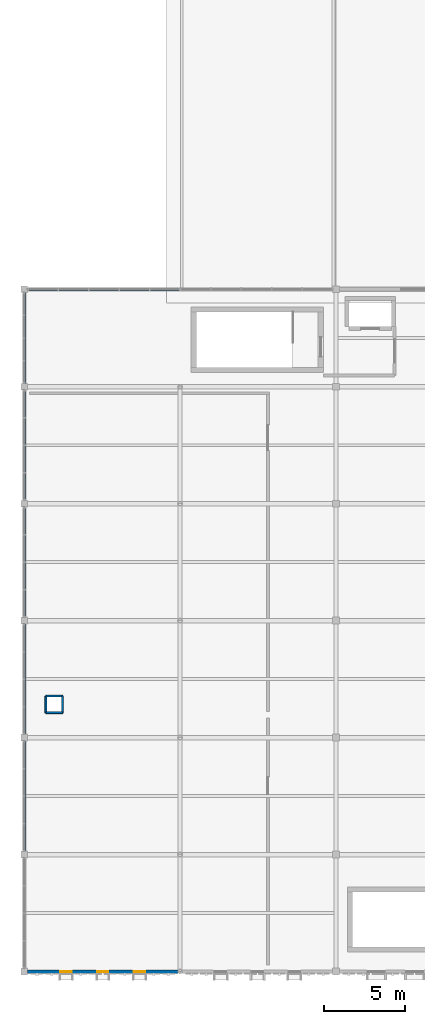
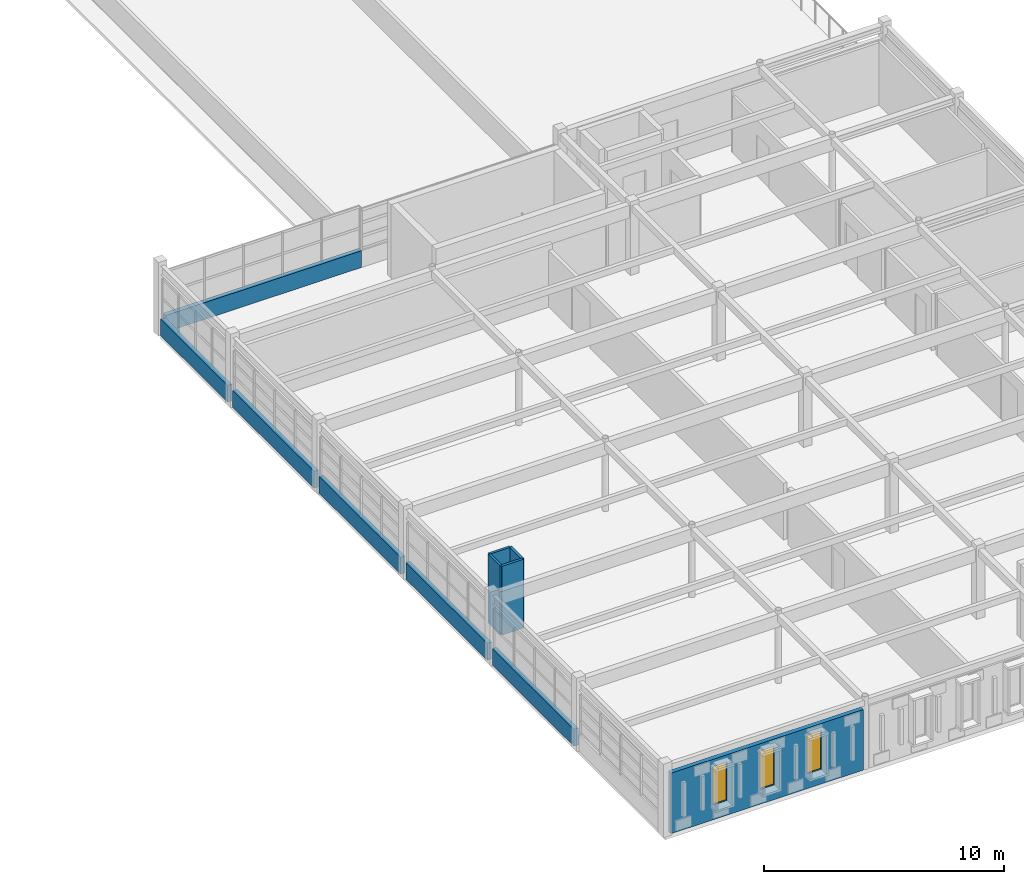
# One storey, part 14 of 25: 11 walls, 3 windows, 3 openings.
"""IFC4 building model written with IfcOpenShell, lengths in metres."""

from ifc_helpers import new_model, si_unit, direction, frame, frame_2d, origin, place, context, subcontext, project, spatial, rectangle, extrude, material, layer, layer_set, type_object, element, fill, save


model = new_model("IFC4")

# Units and contexts
model_context = context("Model", 3, precision=1e-05, world=origin(), true_north=direction((0.0, 1.0)))
body_context = subcontext(model_context, "Body", "Model", "MODEL_VIEW")
ifc_project = project(units=[si_unit("LENGTHUNIT", "METRE"), si_unit("AREAUNIT", "SQUARE_METRE"), si_unit("VOLUMEUNIT", "CUBIC_METRE"), si_unit("PLANEANGLEUNIT", "RADIAN"), si_unit("MASSUNIT", "GRAM", prefix="KILO")], contexts=[model_context])

# Site, building, storey
site_placement = place(None, origin())
site = spatial("IfcSite", under=ifc_project, at=site_placement, CompositionType="ELEMENT")
building_placement = place(site_placement, origin())
building = spatial("IfcBuilding", under=site, at=building_placement, Name="Nzembalo Square Collegiate School", CompositionType="ELEMENT")
storey_placement = place(building_placement, frame((0.0, 0.0, 21.080078125)))
storey = spatial("IfcBuildingStorey", under=building, at=storey_placement, Name="L05", CompositionType="ELEMENT", Elevation=21.080078125)

# Walls
ifc_material_1 = material(Name="CLT CL24", Category="wood")
ifc_layer_1 = layer(ifc_material_1, 0.215087890625, Name="CLT CL24")
ifc_layer_set_1 = layer_set([ifc_layer_1], Name="CLT CL24")
wall_type_1 = type_object("IfcWallType", Name="W08", PredefinedType="SOLIDWALL", material=ifc_layer_set_1)
wall_1_placement = place(storey_placement, frame((130.800048828125, 15.81201171875, 0.0), z_axis=(0.0, 0.0, 1.0), x_axis=(0.0, 1.0, 0.0)))
element("IfcWall", 1, at=wall_1_placement, inside=storey, type_object=wall_type_1, Name="Spandrel wall W08 L05", PredefinedType="SOLIDWALL", context=body_context, shape_type="SweptSolid", body=[
    extrude(rectangle(XDim=6.77587890625, YDim=0.215087890625, at=frame_2d((3.387939453125, 0.0))), origin(), (0.0, 0.0, 1.0), 0.849853515625),
])
for number, where, z_axis, x_axis, name in (
    (2, (130.800048828125, 23.011962890625, 0.0), (0.0, 0.0, 1.0), (0.0, 1.0, 0.0), "Spandrel wall W08 L05"),
    (3, (130.800048828125, 30.2119140625, 0.0), (0.0, 0.0, 1.0), (0.0, 1.0, 0.0), "Spandrel wall W08 L05"),
):
    element("IfcWall", number, at=place(storey_placement, frame(where, z_axis=z_axis, x_axis=x_axis)), inside=storey, type_object=wall_type_1, Name=name, PredefinedType="SOLIDWALL", context=body_context, shape_type="SweptSolid", body=[
        extrude(rectangle(XDim=6.776123046875, YDim=0.215087890625, at=frame_2d((3.38818359375, 0.0))), origin(), (0.0, 0.0, 1.0), 0.849853515625),
    ])
wall_2_placement = place(storey_placement, frame((130.800048828125, 37.412109375, 0.0), z_axis=(0.0, 0.0, 1.0), x_axis=(0.0, 1.0, 0.0)))
element("IfcWall", 4, at=wall_2_placement, inside=storey, type_object=wall_type_1, Name="Spandrel wall W08 L05", PredefinedType="SOLIDWALL", context=body_context, shape_type="SweptSolid", body=[
    extrude(rectangle(XDim=6.77587890625, YDim=0.215087890625, at=frame_2d((3.387939453125, 0.0))), origin(), (0.0, 0.0, 1.0), 0.849853515625),
])
wall_3_placement = place(storey_placement, frame((130.800048828125, 44.612060546875, 0.0), z_axis=(0.0, 0.0, 1.0), x_axis=(0.0, 1.0, 0.0)))
element("IfcWall", 5, at=wall_3_placement, inside=storey, type_object=wall_type_1, Name="Spandrel wall W08 L05", PredefinedType="SOLIDWALL", context=body_context, shape_type="SweptSolid", body=[
    extrude(rectangle(XDim=5.575927734375, YDim=0.215087890625, at=frame_2d((2.7880859375, 0.0))), origin(), (0.0, 0.0, 1.0), 0.849853515625),
])
wall_4_placement = place(storey_placement, frame((131.011962890625, 50.39990234375, 0.0), z_axis=(0.0, 0.0, 1.0), x_axis=(1.0, 0.0, 0.0)))
element("IfcWall", 6, at=wall_4_placement, inside=storey, type_object=wall_type_1, Name="Spandrel wall W08 L05", PredefinedType="SOLIDWALL", context=body_context, shape_type="SweptSolid", body=[
    extrude(rectangle(XDim=9.387939453125, YDim=0.215087890625, at=frame_2d((4.69384765625, 0.0))), origin(), (0.0, 0.0, 1.0), 0.849853515625),
])

# Wall, openings, windows
wall_5_placement = place(storey_placement, frame((131.011962890625, 8.39990234375, 0.0), z_axis=(0.0, 0.0, 1.0), x_axis=(1.0, 0.0, 0.0)))
wall_5 = element("IfcWall", 7, at=wall_5_placement, inside=storey, type_object=wall_type_1, Name="Exterior wall W08 L05", PredefinedType="SOLIDWALL", context=body_context, shape_type="SweptSolid", body=[
    extrude(rectangle(XDim=9.24951171875, YDim=0.215087890625, at=frame_2d((4.624755859375, 0.0))), origin(), (0.0, 0.0, 1.0), 3.073974609375),
])
opening_1_placement = place(wall_5_placement, frame((2.0224609375, 0.0, 0.75)))
opening_1 = element("IfcOpeningElement", 8, at=opening_1_placement, cuts=wall_5, Name="Opening WN-L05-1095", PredefinedType="OPENING", context=body_context, shape_type="SweptSolid", body=[
    extrude(rectangle(XDim=0.679931640625, YDim=1.9599609375, at=frame_2d((0.33984375, 0.97998046875))), frame((0.0, 0.11767578125, 0.0), z_axis=(0.0, -1.0, 0.0), x_axis=(1.0, 0.0, 0.0)), (0.0, 0.0, 1.0), 0.235107421875),
])
opening_2_placement = place(wall_5_placement, frame((4.28466796875, 0.0, 0.75)))
opening_2 = element("IfcOpeningElement", 9, at=opening_2_placement, cuts=wall_5, Name="Opening WN-L05-1096", PredefinedType="OPENING", context=body_context, shape_type="SweptSolid", body=[
    extrude(rectangle(XDim=0.679931640625, YDim=1.9599609375, at=frame_2d((0.33984375, 0.97998046875))), frame((0.0, 0.11767578125, 0.0), z_axis=(0.0, -1.0, 0.0), x_axis=(1.0, 0.0, 0.0)), (0.0, 0.0, 1.0), 0.235107421875),
])
opening_3_placement = place(wall_5_placement, frame((6.547119140625, 0.0, 0.75)))
opening_3 = element("IfcOpeningElement", 10, at=opening_3_placement, cuts=wall_5, Name="Opening WN-L05-1097", PredefinedType="OPENING", context=body_context, shape_type="SweptSolid", body=[
    extrude(rectangle(XDim=0.679931640625, YDim=1.9599609375, at=frame_2d((0.33984375, 0.97998046875))), frame((0.0, 0.11767578125, 0.0), z_axis=(0.0, -1.0, 0.0), x_axis=(1.0, 0.0, 0.0)), (0.0, 0.0, 1.0), 0.235107421875),
])
ifc_material_2 = material(Name="Powder-coated aluminium and low-E double glazing", Category="aluminium")
window_type = type_object("IfcWindowType", Name="WN60", PartitioningType="SINGLE_PANEL", PredefinedType="WINDOW", material=ifc_material_2)
window_1_placement = place(opening_1_placement, origin())
window_1 = element("IfcWindow", 11, at=window_1_placement, inside=storey, type_object=window_type, Name="Lancet window WN-L05-1095", OverallHeight=1.9599609375, OverallWidth=0.679931640625, PartitioningType="SINGLE_PANEL", PredefinedType="WINDOW", context=body_context, shape_type="SweptSolid", body=[
    extrude(rectangle(XDim=0.679931640625, YDim=1.9599609375, at=frame_2d((0.33984375, 0.97998046875))), frame((0.0, 0.030029296875, 0.0), z_axis=(0.0, -1.0, 0.0), x_axis=(1.0, 0.0, 0.0)), (0.0, 0.0, 1.0), 0.06005859375),
])
fill(opening_1, window_1)
window_2_placement = place(opening_2_placement, origin())
window_2 = element("IfcWindow", 12, at=window_2_placement, inside=storey, type_object=window_type, Name="Lancet window WN-L05-1096", OverallHeight=1.9599609375, OverallWidth=0.679931640625, PartitioningType="SINGLE_PANEL", PredefinedType="WINDOW", context=body_context, shape_type="SweptSolid", body=[
    extrude(rectangle(XDim=0.679931640625, YDim=1.9599609375, at=frame_2d((0.33984375, 0.97998046875))), frame((0.0, 0.030029296875, 0.0), z_axis=(0.0, -1.0, 0.0), x_axis=(1.0, 0.0, 0.0)), (0.0, 0.0, 1.0), 0.06005859375),
])
fill(opening_2, window_2)
window_3_placement = place(opening_3_placement, origin())
window_3 = element("IfcWindow", 13, at=window_3_placement, inside=storey, type_object=window_type, Name="Lancet window WN-L05-1097", OverallHeight=1.9599609375, OverallWidth=0.679931640625, PartitioningType="SINGLE_PANEL", PredefinedType="WINDOW", context=body_context, shape_type="SweptSolid", body=[
    extrude(rectangle(XDim=0.679931640625, YDim=1.9599609375, at=frame_2d((0.33984375, 0.97998046875))), frame((0.0, 0.030029296875, 0.0), z_axis=(0.0, -1.0, 0.0), x_axis=(1.0, 0.0, 0.0)), (0.0, 0.0, 1.0), 0.06005859375),
])
fill(opening_3, window_3)

# Walls
ifc_material_3 = material(Name="Fire-rated shaftwall stud")
ifc_layer_2 = layer(ifc_material_3, 0.1201171875, Name="Fire-rated shaftwall stud")
ifc_layer_set_2 = layer_set([ifc_layer_2], Name="Fire-rated shaftwall stud")
wall_type_2 = type_object("IfcWallType", Name="W23", PredefinedType="PARTITIONING", material=ifc_layer_set_2)
for number, where, z_axis, x_axis, name in (
    (14, (132.139892578125, 24.340087890625, 0.0), (0.0, 0.0, 1.0), (1.0, 0.0, 0.0), "Service riser shaftwall W23-025-1"),
    (15, (133.159912109375, 24.340087890625, 0.0), (0.0, 0.0, 1.0), (0.0, 1.0, 0.0), "Service riser shaftwall W23-025-2"),
    (16, (133.159912109375, 25.360107421875, 0.0), (0.0, 0.0, 1.0), (-1.0, 0.0, 0.0), "Service riser shaftwall W23-025-3"),
    (17, (132.139892578125, 25.360107421875, 0.0), (0.0, 0.0, 1.0), (0.0, -1.0, 0.0), "Service riser shaftwall W23-025-4"),
):
    element("IfcWall", number, at=place(storey_placement, frame(where, z_axis=z_axis, x_axis=x_axis)), inside=storey, type_object=wall_type_2, Name=name, PredefinedType="PARTITIONING", context=body_context, shape_type="SweptSolid", body=[
        extrude(rectangle(XDim=1.02001953125, YDim=0.1201171875, at=frame_2d((0.510009765625, 0.0))), origin(), (0.0, 0.0, 1.0), 3.493896484375),
    ])

save(model, "model.ifc")
